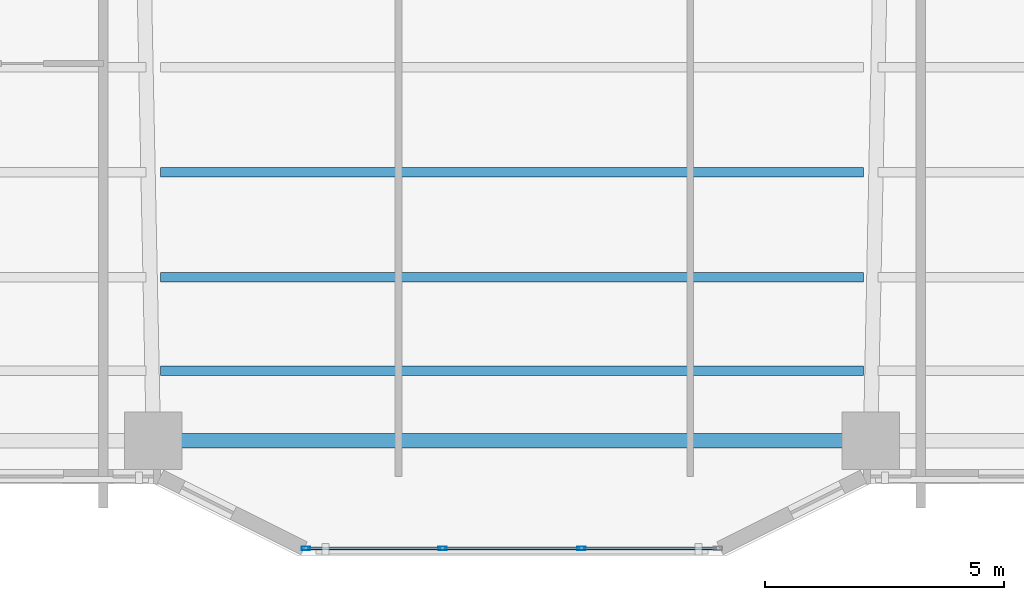
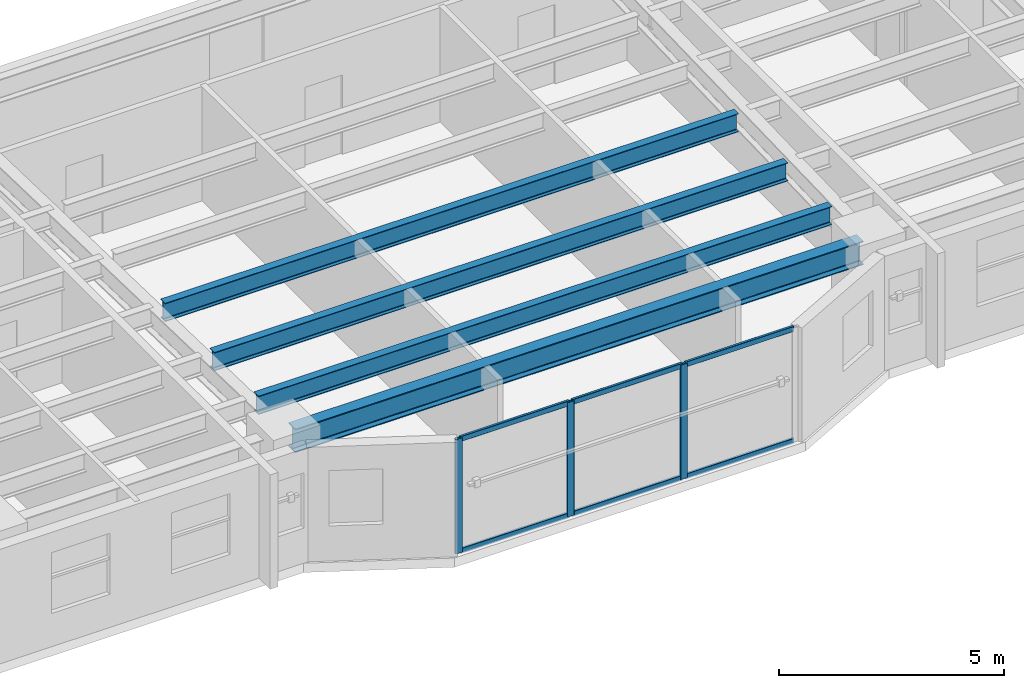
# One storey, part 2 of 20: 9 members, 4 beams, 1 element without a shape of its own.
"""IFC4 building model written with IfcOpenShell, lengths in metres."""

from ifc_helpers import new_model, si_unit, direction, frame, origin, origin_2d, place, context, subcontext, project, spatial, hollow_rectangle, i_section, extrude, material, layer, layer_set, material_profile, profile_set, type_object, element, aggregate, save


model = new_model("IFC4")

# Units and contexts
model_context = context("Model", 3, precision=1e-05, world=origin(), true_north=direction((0.0, 1.0)))
body_context = subcontext(model_context, "Body", "Model", "MODEL_VIEW")
ifc_project = project(units=[si_unit("LENGTHUNIT", "METRE"), si_unit("AREAUNIT", "SQUARE_METRE"), si_unit("VOLUMEUNIT", "CUBIC_METRE"), si_unit("PLANEANGLEUNIT", "RADIAN"), si_unit("MASSUNIT", "GRAM", prefix="KILO")], contexts=[model_context])

# Site, building, storey
site_placement = place(None, origin())
site = spatial("IfcSite", under=ifc_project, at=site_placement, CompositionType="ELEMENT")
building_placement = place(site_placement, origin())
building = spatial("IfcBuilding", under=site, at=building_placement, Name="Tarnavaz Court Tower", CompositionType="ELEMENT")
storey_placement = place(building_placement, frame((0.0, 0.0, 30.699951171875)))
storey = spatial("IfcBuildingStorey", under=building, at=storey_placement, Name="L07", CompositionType="ELEMENT", Elevation=30.699951171875)

# Beams
ifc_material_1 = material(Name="Steel S355", Category="steel")
ifc_material_profile_1 = material_profile(ifc_material_1, i_section(OverallWidth=0.199951171875, OverallDepth=0.5, WebThickness=0.01025390625, FlangeThickness=0.01611328125, FilletRadius=0.02099609375, at=origin_2d()), Name="IPE 500")
ifc_profile_set_1 = profile_set([ifc_material_profile_1], Name="Steel S355")
beam_type_1 = type_object("IfcBeamType", Name="BM-J-IPE500", PredefinedType="JOIST", material=ifc_profile_set_1)
for number, where, z_axis, x_axis, name in (
    (1, (-7.35009765625, -17.18798828125, 2.85009765625), (1.0, 0.0, 0.0), (0.0, 1.0, 0.0), "L07 Beam JS3-2"),
    (2, (-7.35009765625, -19.384033203125, 2.85009765625), (1.0, 0.0, 0.0), (0.0, 1.0, 0.0), "L07 Beam JS4-2"),
    (3, (-7.35009765625, -21.3359375, 2.85009765625), (1.0, 0.0, 0.0), (0.0, 1.0, 0.0), "L07 Beam JS5-2"),
):
    element("IfcBeam", number, at=place(storey_placement, frame(where, z_axis=z_axis, x_axis=x_axis)), inside=storey, type_object=beam_type_1, Name=name, PredefinedType="JOIST", context=body_context, shape_type="SweptSolid", body=[
        extrude(i_section(OverallWidth=0.199951171875, OverallDepth=0.5, WebThickness=0.01025390625, FlangeThickness=0.01611328125, FilletRadius=0.02099609375, at=origin_2d()), origin(), (0.0, 0.0, 1.0), 14.7001953125),
    ])
ifc_material_profile_2 = material_profile(ifc_material_1, i_section(OverallWidth=0.300048828125, OverallDepth=0.639892578125, WebThickness=0.013427734375, FlangeThickness=0.02587890625, FilletRadius=0.027099609375, at=origin_2d()), Name="HEA 650")
ifc_profile_set_2 = profile_set([ifc_material_profile_2], Name="Steel S355")
beam_type_2 = type_object("IfcBeamType", Name="BM-SP-HEA650", PredefinedType="SPANDREL", material=ifc_profile_set_2)
beam_placement = place(storey_placement, frame((-7.280029296875, -22.800048828125, 2.780029296875), z_axis=(1.0, 0.0, 0.0), x_axis=(0.0, 1.0, 0.0)))
element("IfcBeam", 4, at=beam_placement, inside=storey, type_object=beam_type_2, Name="L07 Beam PR-PS-2-PS-3", PredefinedType="SPANDREL", context=body_context, shape_type="SweptSolid", body=[
    extrude(i_section(OverallWidth=0.300048828125, OverallDepth=0.639892578125, WebThickness=0.013427734375, FlangeThickness=0.02587890625, FilletRadius=0.027099609375, at=origin_2d()), origin(), (0.0, 0.0, 1.0), 14.56005859375),
])

# Curtain wall, members
ifc_material_2 = material(Name="Anodised Aluminium 6063-T6 and Solar Low-E Glazing", Category="aluminium")
ifc_layer = layer(ifc_material_2, 0.179931640625)
ifc_layer_set = layer_set([ifc_layer], Name="Anodised Aluminium 6063-T6 and Solar Low-E Glazing")
curtain_wall_type = type_object("IfcCurtainWallType", Name="CW-SYS-02", PredefinedType="NOTDEFINED", material=ifc_layer_set)
curtain_wall_placement = place(storey_placement, origin())
curtain_wall = element("IfcCurtainWall", 5, at=curtain_wall_placement, inside=storey, type_object=curtain_wall_type, Name="L07 Iwan Prow Curtain Wall 17", PredefinedType="NOTDEFINED")
ifc_material_3 = material(Name="Anodised Aluminium 6063-T6", Category="aluminium")
ifc_material_profile_3 = material_profile(ifc_material_3, hollow_rectangle(XDim=0.074951171875, YDim=0.179931640625, WallThickness=0.0048828125, InnerFilletRadius=0.0048828125, OuterFilletRadius=0.010009765625, at=origin_2d()), Name="ALU RHS 180X75X5")
ifc_profile_set_3 = profile_set([ifc_material_profile_3], Name="Anodised Aluminium 6063-T6")
member_type_1 = type_object("IfcMemberType", Name="CW-MUL-180", PredefinedType="MULLION", material=ifc_profile_set_3)
member_1_placement = place(storey_placement, frame((1.449951171875, -25.050048828125, 0.0), z_axis=(0.0, 0.0, 1.0), x_axis=(0.0, -1.0, 0.0)))
member_1 = element("IfcMember", 6, at=member_1_placement, type_object=member_type_1, Name="CW mullion 2", PredefinedType="MULLION", context=body_context, shape_type="SweptSolid", body=[
    extrude(hollow_rectangle(XDim=0.074951171875, YDim=0.179931640625, WallThickness=0.0048828125, InnerFilletRadius=0.0048828125, OuterFilletRadius=0.010009765625, at=origin_2d()), origin(), (0.0, 0.0, 1.0), 3.10009765625),
])
member_2_placement = place(storey_placement, frame((-1.449951171875, -25.050048828125, 0.0), z_axis=(0.0, 0.0, 1.0), x_axis=(0.0, -1.0, 0.0)))
member_2 = element("IfcMember", 7, at=member_2_placement, type_object=member_type_1, Name="CW mullion 3", PredefinedType="MULLION", context=body_context, shape_type="SweptSolid", body=[
    extrude(hollow_rectangle(XDim=0.074951171875, YDim=0.179931640625, WallThickness=0.0048828125, InnerFilletRadius=0.0048828125, OuterFilletRadius=0.010009765625, at=origin_2d()), origin(), (0.0, 0.0, 1.0), 3.10009765625),
])
member_3_placement = place(storey_placement, frame((-4.3125, -25.050048828125, 0.0), z_axis=(0.0, 0.0, 1.0), x_axis=(0.0, -1.0, 0.0)))
member_3 = element("IfcMember", 8, at=member_3_placement, type_object=member_type_1, Name="CW mullion 4", PredefinedType="MULLION", context=body_context, shape_type="SweptSolid", body=[
    extrude(hollow_rectangle(XDim=0.074951171875, YDim=0.179931640625, WallThickness=0.0048828125, InnerFilletRadius=0.0048828125, OuterFilletRadius=0.010009765625, at=origin_2d()), origin(), (0.0, 0.0, 1.0), 3.10009765625),
])
ifc_material_profile_4 = material_profile(ifc_material_3, hollow_rectangle(XDim=0.06494140625, YDim=0.139892578125, WallThickness=0.00390625, InnerFilletRadius=0.00390625, OuterFilletRadius=0.008056640625, at=origin_2d()), Name="ALU RHS 140X65X4")
ifc_profile_set_4 = profile_set([ifc_material_profile_4], Name="Anodised Aluminium 6063-T6")
member_type_2 = type_object("IfcMemberType", Name="CW-TRN-140", PredefinedType="USERDEFINED", material=ifc_profile_set_4)
member_4_placement = place(storey_placement, frame((4.27490234375, -25.050048828125, 0.032470703125), z_axis=(-1.0, 0.0, 0.0), x_axis=(0.0, -1.0, 0.0)))
member_4 = element("IfcMember", 9, at=member_4_placement, type_object=member_type_2, Name="CW transom 1.1", ObjectType="TRANSOM", PredefinedType="USERDEFINED", context=body_context, shape_type="SweptSolid", body=[
    extrude(hollow_rectangle(XDim=0.06494140625, YDim=0.139892578125, WallThickness=0.00390625, InnerFilletRadius=0.00390625, OuterFilletRadius=0.008056640625, at=origin_2d()), origin(), (0.0, 0.0, 1.0), 2.787353515625),
])
member_5_placement = place(storey_placement, frame((4.27490234375, -25.050048828125, 3.067626953125), z_axis=(-1.0, 0.0, 0.0), x_axis=(0.0, -1.0, 0.0)))
member_5 = element("IfcMember", 10, at=member_5_placement, type_object=member_type_2, Name="CW transom 1.2", ObjectType="TRANSOM", PredefinedType="USERDEFINED", context=body_context, shape_type="SweptSolid", body=[
    extrude(hollow_rectangle(XDim=0.06494140625, YDim=0.139892578125, WallThickness=0.00390625, InnerFilletRadius=0.00390625, OuterFilletRadius=0.008056640625, at=origin_2d()), origin(), (0.0, 0.0, 1.0), 2.787353515625),
])
member_6_placement = place(storey_placement, frame((1.41259765625, -25.050048828125, 0.032470703125), z_axis=(-1.0, 0.0, 0.0), x_axis=(0.0, -1.0, 0.0)))
member_6 = element("IfcMember", 11, at=member_6_placement, type_object=member_type_2, Name="CW transom 2.1", ObjectType="TRANSOM", PredefinedType="USERDEFINED", context=body_context, shape_type="SweptSolid", body=[
    extrude(hollow_rectangle(XDim=0.06494140625, YDim=0.139892578125, WallThickness=0.00390625, InnerFilletRadius=0.00390625, OuterFilletRadius=0.008056640625, at=origin_2d()), origin(), (0.0, 0.0, 1.0), 2.8251953125),
])
member_7_placement = place(storey_placement, frame((1.41259765625, -25.050048828125, 3.067626953125), z_axis=(-1.0, 0.0, 0.0), x_axis=(0.0, -1.0, 0.0)))
member_7 = element("IfcMember", 12, at=member_7_placement, type_object=member_type_2, Name="CW transom 2.2", ObjectType="TRANSOM", PredefinedType="USERDEFINED", context=body_context, shape_type="SweptSolid", body=[
    extrude(hollow_rectangle(XDim=0.06494140625, YDim=0.139892578125, WallThickness=0.00390625, InnerFilletRadius=0.00390625, OuterFilletRadius=0.008056640625, at=origin_2d()), origin(), (0.0, 0.0, 1.0), 2.8251953125),
])
member_8_placement = place(storey_placement, frame((-1.487548828125, -25.050048828125, 0.032470703125), z_axis=(-1.0, 0.0, 0.0), x_axis=(0.0, -1.0, 0.0)))
member_8 = element("IfcMember", 13, at=member_8_placement, type_object=member_type_2, Name="CW transom 3.1", ObjectType="TRANSOM", PredefinedType="USERDEFINED", context=body_context, shape_type="SweptSolid", body=[
    extrude(hollow_rectangle(XDim=0.06494140625, YDim=0.139892578125, WallThickness=0.00390625, InnerFilletRadius=0.00390625, OuterFilletRadius=0.008056640625, at=origin_2d()), origin(), (0.0, 0.0, 1.0), 2.787353515625),
])
member_9_placement = place(storey_placement, frame((-1.487548828125, -25.050048828125, 3.067626953125), z_axis=(-1.0, 0.0, 0.0), x_axis=(0.0, -1.0, 0.0)))
member_9 = element("IfcMember", 14, at=member_9_placement, type_object=member_type_2, Name="CW transom 3.2", ObjectType="TRANSOM", PredefinedType="USERDEFINED", context=body_context, shape_type="SweptSolid", body=[
    extrude(hollow_rectangle(XDim=0.06494140625, YDim=0.139892578125, WallThickness=0.00390625, InnerFilletRadius=0.00390625, OuterFilletRadius=0.008056640625, at=origin_2d()), origin(), (0.0, 0.0, 1.0), 2.787353515625),
])
aggregate(curtain_wall, [member_1, member_2, member_3, member_4, member_5, member_6, member_7, member_8, member_9])

save(model, "model.ifc")
